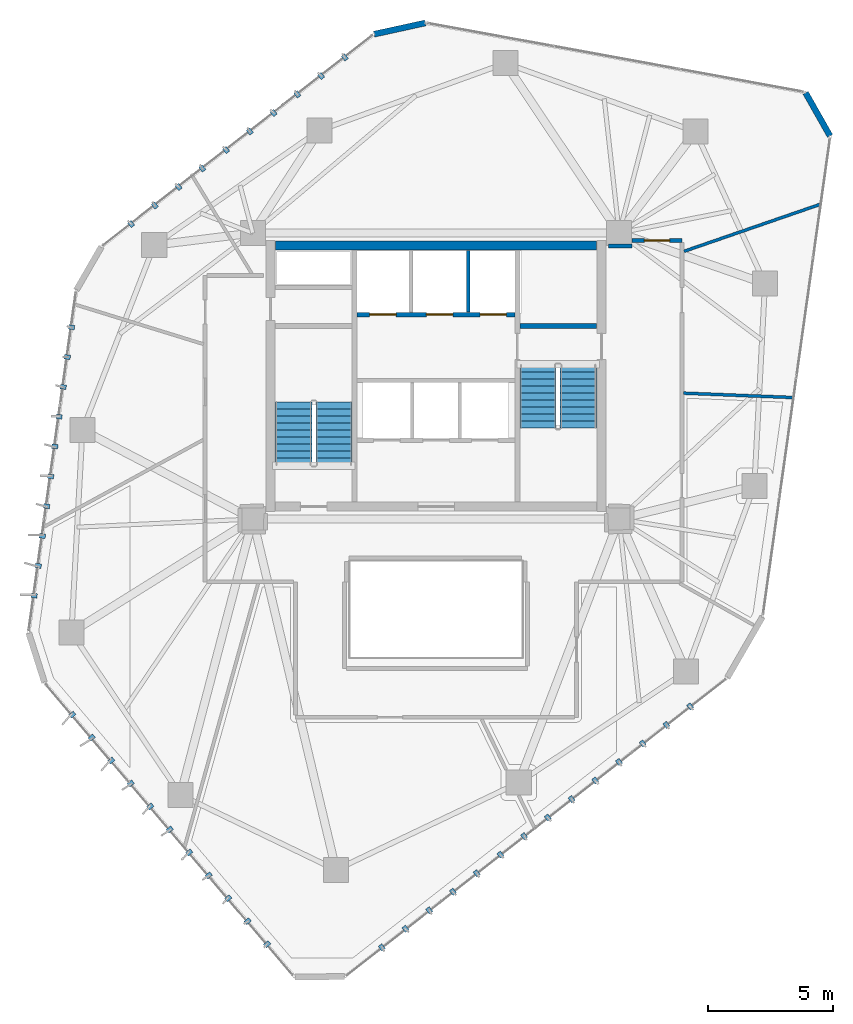
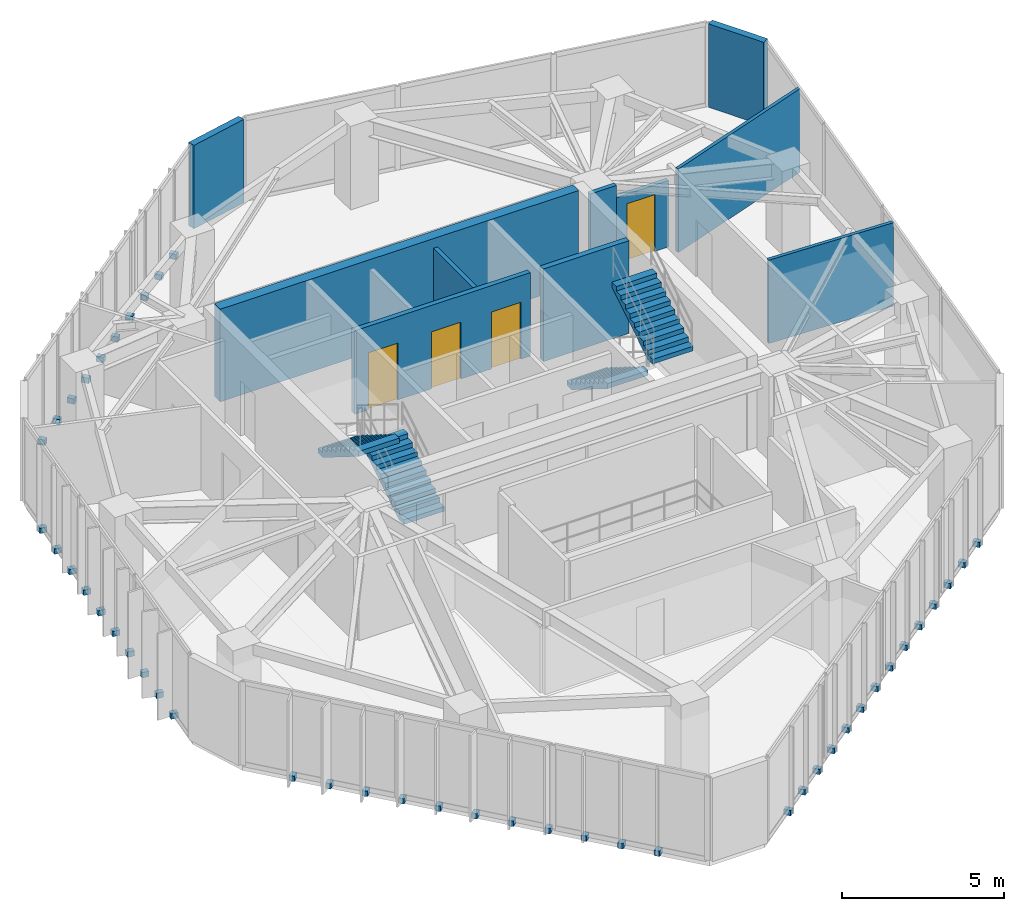
# One storey, part 19 of 21: 45 discrete accessories, 10 walls, 4 doors, 4 stair flights, 4 openings, 2 elements without a shape of their own.
"""IFC4 building model written with IfcOpenShell, lengths in metres."""

import ifcopenshell
import ifcopenshell.guid

model = None  # the IFC model being written
_history = None  # IfcOwnerHistory: only IFC2X3 demands one
_inside = {}  # id of a spatial element -> (the spatial element, [elements in it])
_under = {}  # id of a project, library or spatial element -> (it, [spatial elements below it])
_declared = {}  # id of a project -> (the project, [libraries it declares])
_typed = {}  # id of a type object -> (the type object, [elements of that type])
_made_of = {}  # id of a material, layer set ... -> (it, [elements and type objects made of it])


def new_model(schema):
    """Start an empty IFC model of exactly this schema.

    Asked for "IFC4X3", IfcOpenShell would pick the latest addendum, in which some entities
    have other attributes; the version numbers below select the first issue.
    IFC2X3 requires an IfcOwnerHistory on every rooted entity: one is made here for all.
    """
    global model, _history
    if schema == "IFC4X3":
        model = ifcopenshell.file(schema_version=(4, 3, 0, 0))
    else:
        model = ifcopenshell.file(schema=schema)
    _inside.clear()
    _under.clear()
    _declared.clear()
    _typed.clear()
    _made_of.clear()
    _history = None
    if model.schema == "IFC2X3":
        org = make("IfcOrganization", Name="unknown")
        user = make(
            "IfcPersonAndOrganization",
            ThePerson=make("IfcPerson", FamilyName="unknown"),
            TheOrganization=org,
        )
        app = make(
            "IfcApplication",
            ApplicationDeveloper=org,
            Version="unknown",
            ApplicationFullName="unknown",
            ApplicationIdentifier="unknown",
        )
        _history = make(
            "IfcOwnerHistory",
            OwningUser=user,
            OwningApplication=app,
            ChangeAction="ADDED",
            CreationDate=0,
        )
    return model


def make(cls, **values):
    """One entity of the class cls with the attributes given. An attribute that is None is left unset."""
    return model.create_entity(
        cls, **{name: value for name, value in values.items() if value is not None}
    )


def rooted(cls, **values):
    """An entity with a GlobalId (a new one), such as an element, a storey or a relation."""
    return make(cls, GlobalId=ifcopenshell.guid.new(), OwnerHistory=_history, **values)


def si_unit(unit_type, name, prefix=None):
    """IfcSIUnit, for example si_unit("LENGTHUNIT", "METRE", prefix="MILLI")."""
    return make("IfcSIUnit", UnitType=unit_type, Prefix=prefix, Name=name)


def assignment(units):
    """IfcUnitAssignment: the units of a project."""
    return None if units is None else make("IfcUnitAssignment", Units=units)


def point(xyz):
    """IfcCartesianPoint."""
    return None if xyz is None else make("IfcCartesianPoint", Coordinates=xyz)


def direction(xyz):
    """IfcDirection."""
    return None if xyz is None else make("IfcDirection", DirectionRatios=xyz)


def frame(location, z_axis=None, x_axis=None):
    """IfcAxis2Placement3D, a coordinate frame: its origin and axes. An axis left out is left unset."""
    return make(
        "IfcAxis2Placement3D",
        Location=point(location),
        Axis=direction(z_axis),
        RefDirection=direction(x_axis),
    )


def frame_2d(location, x_axis=None):
    """IfcAxis2Placement2D, a coordinate frame in the plane: its origin and x axis."""
    return make(
        "IfcAxis2Placement2D", Location=point(location), RefDirection=direction(x_axis)
    )


def origin():
    """The frame at (0, 0, 0) with its axes left unset."""
    return frame((0.0, 0.0, 0.0))


def origin_2d():
    """The frame at (0, 0) in the plane with its x axis left unset."""
    return frame_2d((0.0, 0.0))


def place(relative_to, where):
    """IfcLocalPlacement: puts the frame where relative to a parent placement (None: the world)."""
    return make(
        "IfcLocalPlacement", PlacementRelTo=relative_to, RelativePlacement=where
    )


def context(
    kind, dimensions, precision=None, world=None, true_north=None, identifier=None
):
    """IfcGeometricRepresentationContext, for example the 3D "Model" context."""
    return make(
        "IfcGeometricRepresentationContext",
        ContextIdentifier=identifier,
        ContextType=kind,
        CoordinateSpaceDimension=dimensions,
        Precision=precision,
        WorldCoordinateSystem=world,
        TrueNorth=true_north,
    )


def subcontext(parent, identifier, kind, view, scale=None):
    """IfcGeometricRepresentationSubContext, for example "Body" below "Model"."""
    return make(
        "IfcGeometricRepresentationSubContext",
        ContextIdentifier=identifier,
        ContextType=kind,
        ParentContext=parent,
        TargetScale=scale,
        TargetView=view,
    )


def project(units=None, contexts=None):
    """IfcProject with its units and contexts."""
    return rooted(
        "IfcProject",
        Name="project",
        RepresentationContexts=contexts,
        UnitsInContext=assignment(units),
    )


def spatial(cls, under=None, at=None, **own):
    """A site, building, storey or space (cls), placed at a placement, below another one or the project."""
    s = rooted(cls, ObjectPlacement=at, **own)
    if under is not None:
        _under.setdefault(under.id(), (under, []))[1].append(s)
    return s


def polyline(points):
    """IfcPolyline through the points."""
    return make("IfcPolyline", Points=[point(p) for p in points])


def profile(cls, at=None, kind="AREA", **sizes):
    """A parametric profile (cls). Its sizes go by their IFC names, for example OverallWidth=200.0."""
    return make(cls, ProfileType=kind, Position=at, **sizes)


def rectangle(**sizes):
    """IfcRectangleProfileDef."""
    return profile("IfcRectangleProfileDef", **sizes)


def outline(outer, holes=None, kind="AREA"):
    """IfcArbitraryClosedProfileDef: a profile drawn as a closed curve; with holes, ...WithVoids."""
    if holes is None:
        return make("IfcArbitraryClosedProfileDef", ProfileType=kind, OuterCurve=outer)
    return make(
        "IfcArbitraryProfileDefWithVoids",
        ProfileType=kind,
        OuterCurve=outer,
        InnerCurves=holes,
    )


def extrude(swept, where, along, depth):
    """IfcExtrudedAreaSolid: the profile swept, set in the frame where, extruded along a direction by depth."""
    return make(
        "IfcExtrudedAreaSolid",
        SweptArea=swept,
        Position=where,
        ExtrudedDirection=direction(along),
        Depth=depth,
    )


def shape(context_of_items, identifier, shape_type, items):
    """IfcShapeRepresentation: the items that make up one representation, for example the "Body"."""
    return make(
        "IfcShapeRepresentation",
        ContextOfItems=context_of_items,
        RepresentationIdentifier=identifier,
        RepresentationType=shape_type,
        Items=items,
    )


def source(mapping_origin, context_of_items, identifier, shape_type, items):
    """IfcRepresentationMap: a shape defined once, which mapped items show again and again."""
    return make(
        "IfcRepresentationMap",
        MappingOrigin=mapping_origin,
        MappedRepresentation=shape(context_of_items, identifier, shape_type, items),
    )


def transform(
    local_origin,
    x_axis=None,
    y_axis=None,
    z_axis=None,
    scale=None,
    scale2=None,
    scale3=None,
    uniform=True,
):
    """IfcCartesianTransformationOperator3D, or its non-uniform kind. x_axis, y_axis, z_axis: its Axis1, 2, 3."""
    if uniform:
        return make(
            "IfcCartesianTransformationOperator3D",
            Axis1=direction(x_axis),
            Axis2=direction(y_axis),
            LocalOrigin=point(local_origin),
            Scale=scale,
            Axis3=direction(z_axis),
        )
    return make(
        "IfcCartesianTransformationOperator3DnonUniform",
        Axis1=direction(x_axis),
        Axis2=direction(y_axis),
        LocalOrigin=point(local_origin),
        Scale=scale,
        Axis3=direction(z_axis),
        Scale2=scale2,
        Scale3=scale3,
    )


def mapped(mapping_source, mapping_target):
    """IfcMappedItem: shows the shape of a source again, moved by a transform."""
    return make(
        "IfcMappedItem", MappingSource=mapping_source, MappingTarget=mapping_target
    )


def material(Name=None, Category=None):
    """IfcMaterial."""
    return make("IfcMaterial", Name=Name, Category=Category)


def layer(
    of_material, thickness, ventilated=None, Name=None, Category=None, Priority=None
):
    """IfcMaterialLayer: one layer of a wall or slab, of a material (None: an air gap)."""
    return make(
        "IfcMaterialLayer",
        Material=of_material,
        LayerThickness=thickness,
        IsVentilated=ventilated,
        Name=Name,
        Category=Category,
        Priority=Priority,
    )


def layer_set(layers, Name=None):
    """IfcMaterialLayerSet."""
    return make("IfcMaterialLayerSet", MaterialLayers=layers, LayerSetName=Name)


def made_of(thing, what):
    """Note that an element or type object is made of a material, layer set ...; save() writes the relation."""
    if what is not None:
        _made_of.setdefault(what.id(), (what, []))[1].append(thing)
    return thing


def type_object(cls, material=None, **own):
    """A type object (cls), such as IfcWallType, which elements share."""
    return made_of(rooted(cls, **own), material)


def type_shapes(of_type, sources):
    """Give a type object the sources (RepresentationMaps) that its elements show as mapped items."""
    of_type.RepresentationMaps = sources


def element(
    cls,
    number,
    at=None,
    inside=None,
    cuts=None,
    type_object=None,
    material=None,
    context=None,
    identifier="Body",
    shape_type=None,
    held_by="IfcProductDefinitionShape",
    body=None,
    shapes=None,
    **own,
):
    """One element of the class cls, such as IfcWall. Its Tag is "e" and its number.

    at: its placement. inside: the storey or other place that contains it. cuts: it is an
    opening in that element (IfcRelVoidsElement). A single representation is given by context,
    identifier, shape_type and body (its items); several are given by shapes. held_by: the class
    of the entity that holds the representations. save() writes the other relations.
    """
    e = rooted(cls, Tag="e%d" % number, ObjectPlacement=at, **own)
    if body is not None:
        shapes = [shape(context, identifier, shape_type, body)]
    if shapes is not None:
        e.Representation = make(held_by, Representations=shapes)
    if inside is not None:
        _inside.setdefault(inside.id(), (inside, []))[1].append(e)
    if cuts is not None:
        rooted(
            "IfcRelVoidsElement", RelatingBuildingElement=cuts, RelatedOpeningElement=e
        )
    if type_object is not None:
        _typed.setdefault(type_object.id(), (type_object, []))[1].append(e)
    return made_of(e, material)


def fill(opening, filler):
    """IfcRelFillsElement: the door or window that sits in an opening."""
    return rooted(
        "IfcRelFillsElement",
        RelatingOpeningElement=opening,
        RelatedBuildingElement=filler,
    )


def aggregate(whole, parts):
    """IfcRelAggregates: a whole, such as a stair, and the parts it consists of."""
    return rooted("IfcRelAggregates", RelatingObject=whole, RelatedObjects=parts)


def save(model, path):
    """Write the relations noted so far, then the file.

    IfcRelAggregates (storeys below a building ...), IfcRelContainedInSpatialStructure (elements
    in a storey), IfcRelDefinesByType, IfcRelAssociatesMaterial and IfcRelDeclares: one each for
    every whole, place, type object, material and project.
    """
    for whole, parts in _under.values():
        aggregate(whole, parts)
    for where, things in _inside.values():
        rooted(
            "IfcRelContainedInSpatialStructure",
            RelatedElements=things,
            RelatingStructure=where,
        )
    for kind, things in _typed.values():
        rooted("IfcRelDefinesByType", RelatedObjects=things, RelatingType=kind)
    for what, things in _made_of.values():
        rooted("IfcRelAssociatesMaterial", RelatedObjects=things, RelatingMaterial=what)
    for by, libraries in _declared.values():
        rooted("IfcRelDeclares", RelatingContext=by, RelatedDefinitions=libraries)
    model.write(path)


model = new_model("IFC4")

# Units and contexts
model_context = context("Model", 3, precision=1e-05, world=origin(), true_north=direction((0.0, 1.0)))
body_context = subcontext(model_context, "Body", "Model", "MODEL_VIEW")
ifc_project = project(units=[si_unit("LENGTHUNIT", "METRE"), si_unit("AREAUNIT", "SQUARE_METRE"), si_unit("VOLUMEUNIT", "CUBIC_METRE"), si_unit("PLANEANGLEUNIT", "RADIAN"), si_unit("MASSUNIT", "GRAM", prefix="KILO")], contexts=[model_context])

# Site, building, storey
site_placement = place(None, origin())
site = spatial("IfcSite", under=ifc_project, at=site_placement, CompositionType="ELEMENT")
building_placement = place(site_placement, origin())
building = spatial("IfcBuilding", under=site, at=building_placement, Name="Talar Marvaseh", CompositionType="ELEMENT")
storey_placement = place(building_placement, frame((0.0, 0.0, 232.699951171875)))
storey = spatial("IfcBuildingStorey", under=building, at=storey_placement, Name="L61", CompositionType="ELEMENT", Elevation=232.699951171875)

# Walls
ifc_material_1 = material(Name="Precast concrete C45/55", Category="concrete")
ifc_layer_1 = layer(ifc_material_1, 0.239990234375)
ifc_layer_set_1 = layer_set([ifc_layer_1], Name="Precast concrete C45/55")
wall_type_1 = type_object("IfcWallType", Name="Chamfered Hexagonal Corner Pier Wall Z3 240", PredefinedType="SOLIDWALL", material=ifc_layer_set_1)
wall_1_placement = place(storey_placement, frame((23.53564453125, 44.82470703125, 0.0), z_axis=(0.0, 0.0, 1.0), x_axis=(0.976774784407, 0.214268571065, 0.0)))
element("IfcWall", 1, at=wall_1_placement, inside=storey, type_object=wall_type_1, Name="L61 Chamfered Corner Limestone Pier 4", PredefinedType="SOLIDWALL", context=body_context, shape_type="SweptSolid", body=[
    extrude(rectangle(XDim=2.088623046875, YDim=0.239990234375, at=frame_2d((1.04443359375, 0.0))), origin(), (0.0, 0.0, 1.0), 3.150146484375),
])
wall_2_placement = place(storey_placement, frame((40.73046875, 42.488525390625, 0.0), z_axis=(0.0, 0.0, 1.0), x_axis=(0.493557570567, -0.869713127724, 0.0)))
element("IfcWall", 2, at=wall_2_placement, inside=storey, type_object=wall_type_1, Name="L61 Chamfered Corner Limestone Pier 5", PredefinedType="SOLIDWALL", context=body_context, shape_type="SweptSolid", body=[
    extrude(rectangle(XDim=1.9775390625, YDim=0.239990234375, at=frame_2d((0.98876953125, 0.0))), origin(), (0.0, 0.0, 1.0), 3.150146484375),
])

# Wall, opening, door
ifc_material_2 = material(Name="Gypsum Board Partition Assembly")
ifc_layer_2 = layer(ifc_material_2, 0.155029296875)
ifc_layer_set_2 = layer_set([ifc_layer_2], Name="Gypsum Board Partition Assembly")
wall_type_2 = type_object("IfcWallType", Name="Corridor Fire-Rated Acoustic Partition 155", PredefinedType="PARTITIONING", material=ifc_layer_set_2)
wall_3_placement = place(storey_placement, frame((33.81494140625, 36.60009765625, 0.0), z_axis=(0.0, 0.0, 1.0), x_axis=(1.0, 0.0, 0.0)))
wall_3 = element("IfcWall", 3, at=wall_3_placement, inside=storey, type_object=wall_type_2, Name="L61 Interior Partition Wall", PredefinedType="PARTITIONING", context=body_context, shape_type="SweptSolid", body=[
    extrude(rectangle(XDim=1.985107421875, YDim=0.155029296875, at=frame_2d((0.99267578125, 0.0))), origin(), (0.0, 0.0, 1.0), 2.509033203125),
])
opening_1_placement = place(wall_3_placement, frame((0.492431640625, 0.0, 0.0)))
opening_1 = element("IfcOpeningElement", 4, at=opening_1_placement, cuts=wall_3, Name="Opening DR-RM100", PredefinedType="OPENING", context=body_context, shape_type="SweptSolid", body=[
    extrude(rectangle(XDim=1.0, YDim=2.14990234375, at=frame_2d((0.5, 1.074951171875))), frame((0.0, 0.08740234375, 0.0), z_axis=(0.0, -1.0, 0.0), x_axis=(1.0, 0.0, 0.0)), (0.0, 0.0, 1.0), 0.175048828125),
])
ifc_material_3 = material(Name="Acoustic Engineered Oak Timber", Category="wood")
door_type_1 = type_object("IfcDoorType", Name="Corridor Fire-Rated Gallery Door 1000x2150", OperationType="NOTDEFINED", PredefinedType="DOOR", material=ifc_material_3)
shared_shape_1 = source(origin(), body_context, "Body", "SweptSolid", [
    extrude(rectangle(XDim=1.0, YDim=2.14990234375, at=frame_2d((0.5, 1.074951171875))), frame((0.0, 0.02490234375, 0.0), z_axis=(0.0, -1.0, 0.0), x_axis=(1.0, 0.0, 0.0)), (0.0, 0.0, 1.0), 0.050048828125),
])
type_shapes(door_type_1, [shared_shape_1])
door_1_placement = place(opening_1_placement, origin())
door_1 = element("IfcDoor", 5, at=door_1_placement, inside=storey, type_object=door_type_1, Name="L61 Scholars' Registration Reception Door", OperationType="SINGLE_SWING_RIGHT", OverallHeight=2.14990234375, OverallWidth=1.0, PredefinedType="DOOR", context=body_context, shape_type="MappedRepresentation", body=[
    mapped(shared_shape_1, transform((0.0, 0.0, 0.0), x_axis=(1.0, 0.0, 0.0), y_axis=(0.0, 1.0, 0.0), z_axis=(0.0, 0.0, 1.0), scale=1.0)),
])
fill(opening_1, door_1)

# Walls
wall_4_placement = place(storey_placement, frame((32.8701171875, 36.385009765625, 0.0), z_axis=(0.0, 0.0, 1.0), x_axis=(0.999999965754, 0.000261711585, 0.0)))
element("IfcWall", 6, at=wall_4_placement, inside=storey, type_object=wall_type_2, Name="L61 Interior Partition Wall", PredefinedType="PARTITIONING", context=body_context, shape_type="SweptSolid", body=[
    extrude(rectangle(XDim=0.932861328125, YDim=0.155029296875, at=frame_2d((0.46630859375, 0.0))), origin(), (0.0, 0.0, 1.0), 3.150146484375),
])
ifc_layer_3 = layer(ifc_material_2, 0.1201171875)
ifc_layer_set_3 = layer_set([ifc_layer_3], Name="Gypsum Board Partition Assembly")
wall_type_3 = type_object("IfcWallType", Name="Demountable Studio Room Partition 120", PredefinedType="PARTITIONING", material=ifc_layer_set_3)
wall_5_placement = place(storey_placement, frame((35.864990234375, 30.517333984375, 0.0), z_axis=(0.0, 0.0, 1.0), x_axis=(0.999202565875, -0.039927839268, 0.0)))
element("IfcWall", 7, at=wall_5_placement, inside=storey, type_object=wall_type_3, Name="L61 Interior Partition Wall", PredefinedType="PARTITIONING", context=body_context, shape_type="SweptSolid", body=[
    extrude(rectangle(XDim=4.36572265625, YDim=0.1201171875, at=frame_2d((2.182861328125, 0.0))), origin(), (0.0, 0.0, 1.0), 3.150146484375),
])
wall_6_placement = place(storey_placement, frame((35.883544921875, 36.168701171875, 0.0), z_axis=(0.0, 0.0, 1.0), x_axis=(0.945254580942, 0.326333843187, 0.0)))
element("IfcWall", 8, at=wall_6_placement, inside=storey, type_object=wall_type_3, Name="L61 Interior Partition Wall", PredefinedType="PARTITIONING", context=body_context, shape_type="SweptSolid", body=[
    extrude(rectangle(XDim=5.744140625, YDim=0.1201171875, at=frame_2d((2.8720703125, 0.0))), origin(), (0.0, 0.0, 1.0), 3.150146484375),
])
ifc_layer_4 = layer(ifc_material_1, 0.14501953125)
ifc_layer_set_4 = layer_set([ifc_layer_4], Name="Precast concrete C45/55")
wall_type_4 = type_object("IfcWallType", Name="Fire-Rated Lift Divider Wall 145", PredefinedType="SOLIDWALL", material=ifc_layer_set_4)
wall_7_placement = place(storey_placement, frame((27.280029296875, 33.743408203125, 0.0), z_axis=(0.0, 0.0, 1.0), x_axis=(0.0, 1.0, 0.0)))
element("IfcWall", 9, at=wall_7_placement, inside=storey, type_object=wall_type_4, Name="L61 FFL-2/SVL-1 Divider", PredefinedType="SOLIDWALL", context=body_context, shape_type="SweptSolid", body=[
    extrude(rectangle(XDim=2.45654296875, YDim=0.14501953125, at=frame_2d((1.228271484375, 0.0))), origin(), (0.0, 0.0, 1.0), 3.150146484375),
])

# Wall, openings, doors
ifc_layer_5 = layer(ifc_material_1, 0.175048828125)
ifc_layer_set_5 = layer_set([ifc_layer_5], Name="Precast concrete C45/55")
wall_type_5 = type_object("IfcWallType", Name="Fire-Rated Lift Hoistway Enclosure Wall 175", PredefinedType="SOLIDWALL", material=ifc_layer_set_5)
wall_8_placement = place(storey_placement, frame((22.860107421875, 33.64990234375, 0.0), z_axis=(0.0, 0.0, 1.0), x_axis=(1.0, 0.0, 0.0)))
wall_8 = element("IfcWall", 10, at=wall_8_placement, inside=storey, type_object=wall_type_5, Name="L61 Firefighting and Service Lift Front Wall", PredefinedType="SOLIDWALL", context=body_context, shape_type="SweptSolid", body=[
    extrude(rectangle(XDim=6.27978515625, YDim=0.175048828125, at=frame_2d((3.139892578125, 0.0))), origin(), (0.0, 0.0, 1.0), 3.150146484375),
])
opening_2_placement = place(wall_8_placement, frame((0.5, 0.0, 0.0)))
opening_2 = element("IfcOpeningElement", 11, at=opening_2_placement, cuts=wall_8, Name="Opening LD-FF1", PredefinedType="OPENING", context=body_context, shape_type="SweptSolid", body=[
    extrude(rectangle(XDim=1.050048828125, YDim=2.14990234375, at=frame_2d((0.52490234375, 1.074951171875))), frame((0.0, 0.09765625, 0.0), z_axis=(0.0, -1.0, 0.0), x_axis=(1.0, 0.0, 0.0)), (0.0, 0.0, 1.0), 0.195068359375),
])
opening_3_placement = place(wall_8_placement, frame((2.760009765625, 0.0, 0.0)))
opening_3 = element("IfcOpeningElement", 12, at=opening_3_placement, cuts=wall_8, Name="Opening LD-FF2", PredefinedType="OPENING", context=body_context, shape_type="SweptSolid", body=[
    extrude(rectangle(XDim=1.050048828125, YDim=2.14990234375, at=frame_2d((0.52490234375, 1.074951171875))), frame((0.0, 0.09765625, 0.0), z_axis=(0.0, -1.0, 0.0), x_axis=(1.0, 0.0, 0.0)), (0.0, 0.0, 1.0), 0.195068359375),
])
opening_4_placement = place(wall_8_placement, frame((4.89990234375, 0.0, 0.0)))
opening_4 = element("IfcOpeningElement", 13, at=opening_4_placement, cuts=wall_8, Name="Opening LD-SV1", PredefinedType="OPENING", context=body_context, shape_type="SweptSolid", body=[
    extrude(rectangle(XDim=1.050048828125, YDim=2.14990234375, at=frame_2d((0.52490234375, 1.074951171875))), frame((0.0, 0.09765625, 0.0), z_axis=(0.0, -1.0, 0.0), x_axis=(1.0, 0.0, 0.0)), (0.0, 0.0, 1.0), 0.195068359375),
])
ifc_material_4 = material(Name="Stainless Steel Grade 316", Category="steel")
door_type_2 = type_object("IfcDoorType", Name="Automatic Sliding Lift Landing Door 1050x2150", OperationType="NOTDEFINED", PredefinedType="DOOR", material=ifc_material_4)
shared_shape_2 = source(origin(), body_context, "Body", "SweptSolid", [
    extrude(rectangle(XDim=1.050048828125, YDim=2.14990234375, at=frame_2d((0.52490234375, 1.074951171875))), frame((0.0, 0.02490234375, 0.0), z_axis=(0.0, -1.0, 0.0), x_axis=(1.0, 0.0, 0.0)), (0.0, 0.0, 1.0), 0.050048828125),
])
type_shapes(door_type_2, [shared_shape_2])
door_2_placement = place(opening_2_placement, origin())
door_2 = element("IfcDoor", 14, at=door_2_placement, inside=storey, type_object=door_type_2, Name="L61 Lift FFL-1 Sliding Landing Door", OperationType="SLIDING_TO_LEFT", OverallHeight=2.14990234375, OverallWidth=1.050048828125, PredefinedType="DOOR", context=body_context, shape_type="MappedRepresentation", body=[
    mapped(shared_shape_2, transform((0.0, 0.0, 0.0), x_axis=(1.0, 0.0, 0.0), y_axis=(0.0, 1.0, 0.0), z_axis=(0.0, 0.0, 1.0), scale=1.0)),
])
fill(opening_2, door_2)
door_3_placement = place(opening_3_placement, origin())
door_3 = element("IfcDoor", 15, at=door_3_placement, inside=storey, type_object=door_type_2, Name="L61 Lift FFL-2 Sliding Landing Door", OperationType="SLIDING_TO_LEFT", OverallHeight=2.14990234375, OverallWidth=1.050048828125, PredefinedType="DOOR", context=body_context, shape_type="MappedRepresentation", body=[
    mapped(shared_shape_2, transform((0.0, 0.0, 0.0), x_axis=(1.0, 0.0, 0.0), y_axis=(0.0, 1.0, 0.0), z_axis=(0.0, 0.0, 1.0), scale=1.0)),
])
fill(opening_3, door_3)
door_4_placement = place(opening_4_placement, origin())
door_4 = element("IfcDoor", 16, at=door_4_placement, inside=storey, type_object=door_type_2, Name="L61 Lift SVL-1 Sliding Landing Door", OperationType="SLIDING_TO_LEFT", OverallHeight=2.14990234375, OverallWidth=1.050048828125, PredefinedType="DOOR", context=body_context, shape_type="MappedRepresentation", body=[
    mapped(shared_shape_2, transform((0.0, 0.0, 0.0), x_axis=(1.0, 0.0, 0.0), y_axis=(0.0, 1.0, 0.0), z_axis=(0.0, 0.0, 1.0), scale=1.0)),
])
fill(opening_4, door_4)

# Walls
ifc_material_5 = material(Name="Concrete C50/60", Category="concrete")
ifc_layer_6 = layer(ifc_material_5, 0.199951171875)
ifc_layer_set_6 = layer_set([ifc_layer_6], Name="Concrete C50/60")
wall_type_6 = type_object("IfcWallType", Name="Stair Shaft Structural Concrete Shear Wall 200", PredefinedType="SHEAR", material=ifc_layer_set_6)
wall_9_placement = place(storey_placement, frame((29.340087890625, 33.199951171875, 0.0), z_axis=(0.0, 0.0, 1.0), x_axis=(1.0, 0.0, 0.0)))
element("IfcWall", 17, at=wall_9_placement, inside=storey, type_object=wall_type_6, Name="L61 Stair ST-2 North Shear Wall", PredefinedType="SHEAR", context=body_context, shape_type="SweptSolid", body=[
    extrude(rectangle(XDim=3.059814453125, YDim=0.199951171875, at=frame_2d((1.52978515625, 0.0))), origin(), (0.0, 0.0, 1.0), 3.5),
])
ifc_layer_7 = layer(ifc_material_5, 0.360107421875)
ifc_layer_set_7 = layer_set([ifc_layer_7], Name="Concrete C50/60")
wall_type_7 = type_object("IfcWallType", Name="Upper Core Reinforced Concrete Shear Wall 360", PredefinedType="SHEAR", material=ifc_layer_set_7)
wall_10_placement = place(storey_placement, frame((19.60009765625, 36.39990234375, 0.0), z_axis=(0.0, 0.0, 1.0), x_axis=(1.0, 0.0, 0.0)))
element("IfcWall", 18, at=wall_10_placement, inside=storey, type_object=wall_type_7, Name="L61 North Core Shear Wall", PredefinedType="SHEAR", context=body_context, shape_type="SweptSolid", body=[
    extrude(rectangle(XDim=12.7998046875, YDim=0.360107421875, at=frame_2d((6.39990234375, 0.0))), origin(), (0.0, 0.0, 1.0), 3.5),
])

# Stair, stair flights
ifc_material_6 = material(Name="Concrete C40/50", Category="concrete")
stair_type = type_object("IfcStairType", Name="Reinforced Concrete High-Rise Exit Stair Type C", PredefinedType="HALF_TURN_STAIR", material=ifc_material_6)
stair_1_placement = place(storey_placement, origin())
stair_1 = element("IfcStair", 19, at=stair_1_placement, inside=storey, type_object=stair_type, Name="L61 Tower West Core Exit Stair", PredefinedType="HALF_TURN_STAIR")
ifc_layer_8 = layer(ifc_material_6, 0.159912109375)
ifc_layer_set_8 = layer_set([ifc_layer_8], Name="Concrete C40/50")
stair_flight_type = type_object("IfcStairFlightType", Name="Reinforced Concrete Straight Stair Flight 160", PredefinedType="STRAIGHT", material=ifc_layer_set_8)
stair_flight_1_placement = place(storey_placement, frame((21.93505859375, 27.64990234375, 0.0), z_axis=(0.0, 0.0, 1.0), x_axis=(0.0, 1.0, 0.0)))
stair_flight_1 = element("IfcStairFlight", 20, at=stair_flight_1_placement, type_object=stair_flight_type, Name="ST-1 flight 1", NumberOfRisers=10, NumberOfTreads=9, PredefinedType="STRAIGHT", RiserHeight=0.175, TreadLength=0.28, context=body_context, shape_type="SweptSolid", body=[
    extrude(outline(polyline([(0.0, 0.0), (0.0, 0.175048828125), (0.280029296875, 0.175048828125), (0.280029296875, 0.35009765625), (0.56005859375, 0.35009765625), (0.56005859375, 0.52490234375), (0.840087890625, 0.52490234375), (0.840087890625, 0.699951171875), (1.1201171875, 0.699951171875), (1.1201171875, 0.875), (1.39990234375, 0.875), (1.39990234375, 1.050048828125), (1.679931640625, 1.050048828125), (1.679931640625, 1.22509765625), (1.9599609375, 1.22509765625), (1.9599609375, 1.39990234375), (2.239990234375, 1.39990234375), (2.239990234375, 1.574951171875), (2.52001953125, 1.574951171875), (2.52001953125, 1.75), (2.52001953125, 1.386474609375), (0.3017578125, 0.0), (0.0, 0.0)])), frame((0.0, 0.72509765625, 0.0), z_axis=(0.0, -1.0, 0.0), x_axis=(1.0, 0.0, 0.0)), (0.0, 0.0, 1.0), 1.449951171875),
])
stair_flight_2_placement = place(storey_placement, frame((20.324951171875, 30.169921875, 1.75), z_axis=(0.0, 0.0, 1.0), x_axis=(0.0, -1.0, 0.0)))
stair_flight_2 = element("IfcStairFlight", 21, at=stair_flight_2_placement, type_object=stair_flight_type, Name="ST-1 flight 2", NumberOfRisers=10, NumberOfTreads=9, PredefinedType="STRAIGHT", RiserHeight=0.175, TreadLength=0.28, context=body_context, shape_type="SweptSolid", body=[
    extrude(outline(polyline([(0.0, 0.0), (0.0, 0.175048828125), (0.280029296875, 0.175048828125), (0.280029296875, 0.35009765625), (0.56005859375, 0.35009765625), (0.56005859375, 0.52490234375), (0.840087890625, 0.52490234375), (0.840087890625, 0.699951171875), (1.1201171875, 0.699951171875), (1.1201171875, 0.875), (1.39990234375, 0.875), (1.39990234375, 1.050048828125), (1.679931640625, 1.050048828125), (1.679931640625, 1.22509765625), (1.9599609375, 1.22509765625), (1.9599609375, 1.39990234375), (2.239990234375, 1.39990234375), (2.239990234375, 1.574951171875), (2.52001953125, 1.574951171875), (2.52001953125, 1.75), (2.52001953125, 1.386474609375), (0.3017578125, 0.0), (0.0, 0.0)])), frame((0.0, 0.72509765625, 0.0), z_axis=(0.0, -1.0, 0.0), x_axis=(1.0, 0.0, 0.0)), (0.0, 0.0, 1.0), 1.449951171875),
])
aggregate(stair_1, [stair_flight_1, stair_flight_2])

stair_2_placement = place(storey_placement, origin())
stair_2 = element("IfcStair", 22, at=stair_2_placement, inside=storey, type_object=stair_type, Name="L61 Tower East Core Exit Stair", PredefinedType="HALF_TURN_STAIR")
stair_flight_3_placement = place(storey_placement, frame((30.06494140625, 31.64990234375, 0.0), z_axis=(0.0, 0.0, 1.0), x_axis=(0.0, -1.0, 0.0)))
stair_flight_3 = element("IfcStairFlight", 23, at=stair_flight_3_placement, type_object=stair_flight_type, Name="ST-2 flight 1", NumberOfRisers=10, NumberOfTreads=9, PredefinedType="STRAIGHT", RiserHeight=0.175, TreadLength=0.28, context=body_context, shape_type="SweptSolid", body=[
    extrude(outline(polyline([(0.0, 0.0), (0.0, 0.175048828125), (0.280029296875, 0.175048828125), (0.280029296875, 0.35009765625), (0.56005859375, 0.35009765625), (0.56005859375, 0.52490234375), (0.840087890625, 0.52490234375), (0.840087890625, 0.699951171875), (1.1201171875, 0.699951171875), (1.1201171875, 0.875), (1.39990234375, 0.875), (1.39990234375, 1.050048828125), (1.679931640625, 1.050048828125), (1.679931640625, 1.22509765625), (1.9599609375, 1.22509765625), (1.9599609375, 1.39990234375), (2.239990234375, 1.39990234375), (2.239990234375, 1.574951171875), (2.52001953125, 1.574951171875), (2.52001953125, 1.75), (2.52001953125, 1.386474609375), (0.3017578125, 0.0), (0.0, 0.0)])), frame((0.0, 0.72509765625, 0.0), z_axis=(0.0, -1.0, 0.0), x_axis=(1.0, 0.0, 0.0)), (0.0, 0.0, 1.0), 1.449951171875),
])
stair_flight_4_placement = place(storey_placement, frame((31.675048828125, 29.1298828125, 1.75), z_axis=(0.0, 0.0, 1.0), x_axis=(0.0, 1.0, 0.0)))
stair_flight_4 = element("IfcStairFlight", 24, at=stair_flight_4_placement, type_object=stair_flight_type, Name="ST-2 flight 2", NumberOfRisers=10, NumberOfTreads=9, PredefinedType="STRAIGHT", RiserHeight=0.175, TreadLength=0.28, context=body_context, shape_type="SweptSolid", body=[
    extrude(outline(polyline([(0.0, 0.0), (0.0, 0.175048828125), (0.280029296875, 0.175048828125), (0.280029296875, 0.35009765625), (0.56005859375, 0.35009765625), (0.56005859375, 0.52490234375), (0.840087890625, 0.52490234375), (0.840087890625, 0.699951171875), (1.1201171875, 0.699951171875), (1.1201171875, 0.875), (1.39990234375, 0.875), (1.39990234375, 1.050048828125), (1.679931640625, 1.050048828125), (1.679931640625, 1.22509765625), (1.9599609375, 1.22509765625), (1.9599609375, 1.39990234375), (2.239990234375, 1.39990234375), (2.239990234375, 1.574951171875), (2.52001953125, 1.574951171875), (2.52001953125, 1.75), (2.52001953125, 1.386474609375), (0.3017578125, 0.0), (0.0, 0.0)])), frame((0.0, 0.72509765625, 0.0), z_axis=(0.0, -1.0, 0.0), x_axis=(1.0, 0.0, 0.0)), (0.0, 0.0, 1.0), 1.449951171875),
])
aggregate(stair_2, [stair_flight_3, stair_flight_4])

# Discrete accessories
discrete_accessory_type = type_object("IfcDiscreteAccessoryType", Name="Stainless Slab-Edge Fin Mounting Bracket", PredefinedType="BRACKET", material=ifc_material_4)
shared_shape_3 = source(origin(), body_context, "Body", "SweptSolid", [
    extrude(rectangle(XDim=0.239990234375, YDim=0.179931640625, at=origin_2d()), origin(), (0.0, 0.0, 1.0), 0.199951171875),
])
type_shapes(discrete_accessory_type, [shared_shape_3])
for number, where, z_axis, x_axis, name in (
    (25, (19.27294921875, 8.555419921875, -0.1796875), (0.0, 0.0, 1.0), (-0.762103608804, -0.647455086819, 0.0), "L61 Vertical Fin Slab-Edge Bracket"),
    (26, (18.49609375, 9.469970703125, -0.1796875), (0.0, 0.0, 1.0), (-0.762103608804, -0.647455086819, 0.0), "L61 Vertical Fin Slab-Edge Bracket"),
    (27, (17.71923828125, 10.384521484375, -0.1796875), (0.0, 0.0, 1.0), (-0.762103608804, -0.647455086819, 0.0), "L61 Vertical Fin Slab-Edge Bracket"),
    (28, (16.9423828125, 11.299072265625, -0.1796875), (0.0, 0.0, 1.0), (-0.762103608804, -0.647455086819, 0.0), "L61 Vertical Fin Slab-Edge Bracket"),
    (29, (16.165283203125, 12.213623046875, -0.1796875), (0.0, 0.0, 1.0), (-0.762103608804, -0.647455086819, 0.0), "L61 Vertical Fin Slab-Edge Bracket"),
    (30, (15.388671875, 13.128173828125, -0.1796875), (0.0, 0.0, 1.0), (-0.762103608804, -0.647455086819, 0.0), "L61 Vertical Fin Slab-Edge Bracket"),
    (31, (14.61181640625, 14.042724609375, -0.1796875), (0.0, 0.0, 1.0), (-0.762103608804, -0.647455086819, 0.0), "L61 Vertical Fin Slab-Edge Bracket"),
    (32, (13.834716796875, 14.95751953125, -0.1796875), (0.0, 0.0, 1.0), (-0.762103608804, -0.647455086819, 0.0), "L61 Vertical Fin Slab-Edge Bracket"),
    (33, (13.057861328125, 15.871826171875, -0.1796875), (0.0, 0.0, 1.0), (-0.762103608804, -0.647455086819, 0.0), "L61 Vertical Fin Slab-Edge Bracket"),
    (34, (12.281005859375, 16.78662109375, -0.1796875), (0.0, 0.0, 1.0), (-0.762103608804, -0.647455086819, 0.0), "L61 Vertical Fin Slab-Edge Bracket"),
    (35, (11.504150390625, 17.701171875, -0.1796875), (0.0, 0.0, 1.0), (-0.762103608804, -0.647455086819, 0.0), "L61 Vertical Fin Slab-Edge Bracket"),
    (36, (9.984130859375, 22.447265625, -0.1796875), (0.0, 0.0, 1.0), (-0.990437361669, 0.137963156715, 0.0), "L61 Vertical Fin Slab-Edge Bracket"),
    (37, (10.149658203125, 23.6357421875, -0.1796875), (0.0, 0.0, 1.0), (-0.990437361669, 0.137963156715, 0.0), "L61 Vertical Fin Slab-Edge Bracket"),
    (38, (10.315185546875, 24.82421875, -0.1796875), (0.0, 0.0, 1.0), (-0.990437361669, 0.137963156715, 0.0), "L61 Vertical Fin Slab-Edge Bracket"),
    (39, (10.480712890625, 26.0126953125, -0.1796875), (0.0, 0.0, 1.0), (-0.990437361669, 0.137963156715, 0.0), "L61 Vertical Fin Slab-Edge Bracket"),
    (40, (10.646484375, 27.201416015625, -0.1796875), (0.0, 0.0, 1.0), (-0.990437361669, 0.137963156715, 0.0), "L61 Vertical Fin Slab-Edge Bracket"),
    (41, (10.81201171875, 28.389892578125, -0.1796875), (0.0, 0.0, 1.0), (-0.990437361669, 0.137963156715, 0.0), "L61 Vertical Fin Slab-Edge Bracket"),
    (42, (10.9775390625, 29.578369140625, -0.1796875), (0.0, 0.0, 1.0), (-0.990437361669, 0.137963156715, 0.0), "L61 Vertical Fin Slab-Edge Bracket"),
    (43, (11.143310546875, 30.766845703125, -0.1796875), (0.0, 0.0, 1.0), (-0.990437361669, 0.137963156715, 0.0), "L61 Vertical Fin Slab-Edge Bracket"),
    (44, (11.308837890625, 31.955322265625, -0.1796875), (0.0, 0.0, 1.0), (-0.990437361669, 0.137963156715, 0.0), "L61 Vertical Fin Slab-Edge Bracket"),
    (45, (11.474365234375, 33.143798828125, -0.1796875), (0.0, 0.0, 1.0), (-0.990437361669, 0.137963156715, 0.0), "L61 Vertical Fin Slab-Edge Bracket"),
    (46, (13.849609375, 37.257568359375, -0.1796875), (0.0, 0.0, 1.0), (-0.614698279336, 0.788762337705, 0.0), "L61 Vertical Fin Slab-Edge Bracket"),
    (47, (14.7958984375, 37.9951171875, -0.1796875), (0.0, 0.0, 1.0), (-0.614698279336, 0.788762337705, 0.0), "L61 Vertical Fin Slab-Edge Bracket"),
    (48, (15.742431640625, 38.73291015625, -0.1796875), (0.0, 0.0, 1.0), (-0.614698279336, 0.788762337705, 0.0), "L61 Vertical Fin Slab-Edge Bracket"),
    (49, (16.68896484375, 39.470703125, -0.1796875), (0.0, 0.0, 1.0), (-0.614698279336, 0.788762337705, 0.0), "L61 Vertical Fin Slab-Edge Bracket"),
    (50, (17.635498046875, 40.208251953125, -0.1796875), (0.0, 0.0, 1.0), (-0.614698279336, 0.788762337705, 0.0), "L61 Vertical Fin Slab-Edge Bracket"),
    (51, (18.581787109375, 40.94580078125, -0.1796875), (0.0, 0.0, 1.0), (-0.614698279336, 0.788762337705, 0.0), "L61 Vertical Fin Slab-Edge Bracket"),
    (52, (19.5283203125, 41.68359375, -0.1796875), (0.0, 0.0, 1.0), (-0.614698279336, 0.788762337705, 0.0), "L61 Vertical Fin Slab-Edge Bracket"),
    (53, (20.474853515625, 42.42138671875, -0.1796875), (0.0, 0.0, 1.0), (-0.614698279336, 0.788762337705, 0.0), "L61 Vertical Fin Slab-Edge Bracket"),
    (54, (21.42138671875, 43.158935546875, -0.1796875), (0.0, 0.0, 1.0), (-0.614698279336, 0.788762337705, 0.0), "L61 Vertical Fin Slab-Edge Bracket"),
    (55, (22.367919921875, 43.896484375, -0.1796875), (0.0, 0.0, 1.0), (-0.614698279336, 0.788762337705, 0.0), "L61 Vertical Fin Slab-Edge Bracket"),
    (56, (36.131103515625, 18.03369140625, -0.1796875), (0.0, 0.0, 1.0), (0.61579899977, -0.787903288407, 0.0), "L61 Vertical Fin Slab-Edge Bracket"),
    (57, (35.185546875, 17.294921875, -0.1796875), (0.0, 0.0, 1.0), (0.61579899977, -0.787903288407, 0.0), "L61 Vertical Fin Slab-Edge Bracket"),
    (58, (34.239990234375, 16.555908203125, -0.1796875), (0.0, 0.0, 1.0), (0.61579899977, -0.787903288407, 0.0), "L61 Vertical Fin Slab-Edge Bracket"),
    (59, (33.294677734375, 15.81689453125, -0.1796875), (0.0, 0.0, 1.0), (0.61579899977, -0.787903288407, 0.0), "L61 Vertical Fin Slab-Edge Bracket"),
    (60, (32.34912109375, 15.077880859375, -0.1796875), (0.0, 0.0, 1.0), (0.61579899977, -0.787903288407, 0.0), "L61 Vertical Fin Slab-Edge Bracket"),
    (61, (31.403564453125, 14.339111328125, -0.1796875), (0.0, 0.0, 1.0), (0.61579899977, -0.787903288407, 0.0), "L61 Vertical Fin Slab-Edge Bracket"),
    (62, (30.4580078125, 13.60009765625, -0.1796875), (0.0, 0.0, 1.0), (0.61579899977, -0.787903288407, 0.0), "L61 Vertical Fin Slab-Edge Bracket"),
    (63, (29.5126953125, 12.861083984375, -0.1796875), (0.0, 0.0, 1.0), (0.61579899977, -0.787903288407, 0.0), "L61 Vertical Fin Slab-Edge Bracket"),
    (64, (28.567138671875, 12.122314453125, -0.1796875), (0.0, 0.0, 1.0), (0.61579899977, -0.787903288407, 0.0), "L61 Vertical Fin Slab-Edge Bracket"),
    (65, (27.62158203125, 11.38330078125, -0.1796875), (0.0, 0.0, 1.0), (0.61579899977, -0.787903288407, 0.0), "L61 Vertical Fin Slab-Edge Bracket"),
    (66, (26.676025390625, 10.644287109375, -0.1796875), (0.0, 0.0, 1.0), (0.61579899977, -0.787903288407, 0.0), "L61 Vertical Fin Slab-Edge Bracket"),
    (67, (25.730712890625, 9.9052734375, -0.1796875), (0.0, 0.0, 1.0), (0.61579899977, -0.787903288407, 0.0), "L61 Vertical Fin Slab-Edge Bracket"),
    (68, (24.78515625, 9.16650390625, -0.1796875), (0.0, 0.0, 1.0), (0.61579899977, -0.787903288407, 0.0), "L61 Vertical Fin Slab-Edge Bracket"),
    (69, (23.839599609375, 8.427490234375, -0.1796875), (0.0, 0.0, 1.0), (0.61579899977, -0.787903288407, 0.0), "L61 Vertical Fin Slab-Edge Bracket"),
):
    element("IfcDiscreteAccessory", number, at=place(storey_placement, frame(where, z_axis=z_axis, x_axis=x_axis)), inside=storey, type_object=discrete_accessory_type, Name=name, PredefinedType="BRACKET", context=body_context, shape_type="MappedRepresentation", body=[
        mapped(shared_shape_3, transform((0.0, 0.0, 0.0), x_axis=(1.0, 0.0, 0.0), y_axis=(0.0, 1.0, 0.0), z_axis=(0.0, 0.0, 1.0), scale=1.0)),
    ])

save(model, "model.ifc")
